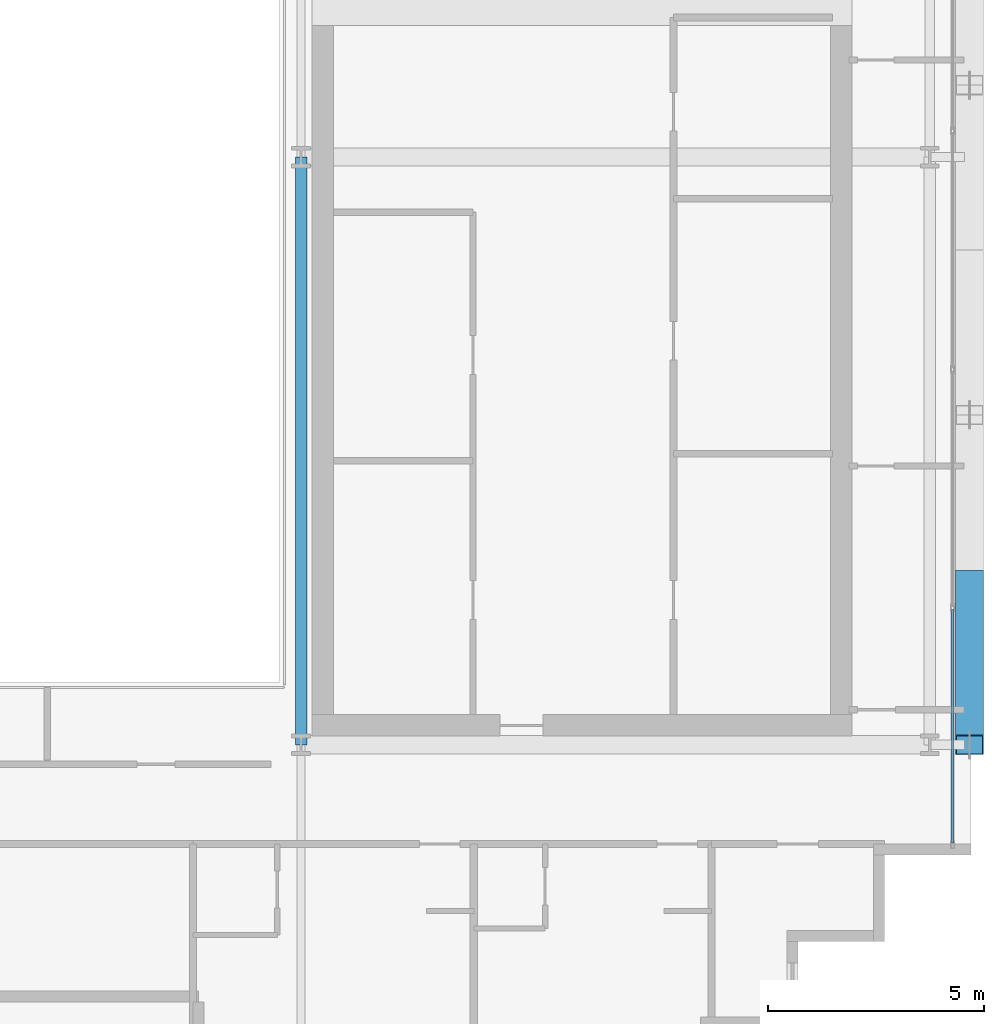
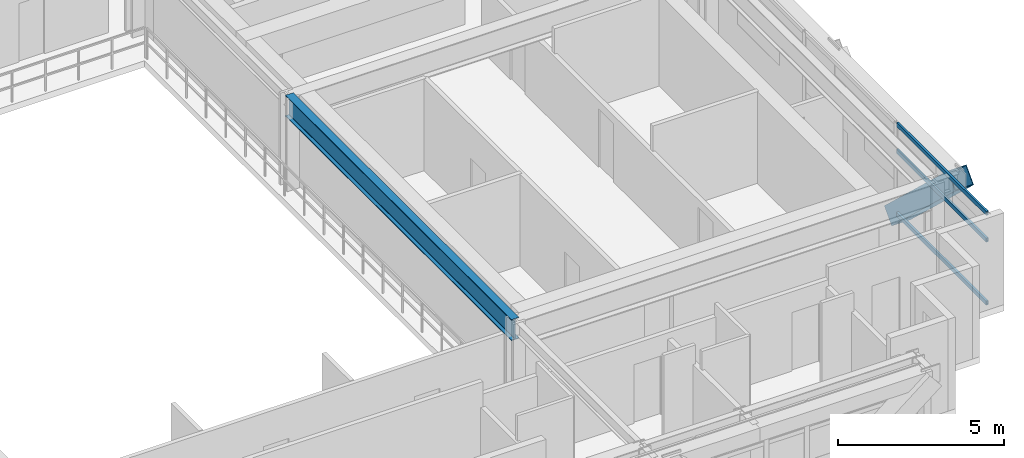
# One storey, part 11 of 32: 4 members, 1 beam, 1 element without a shape of its own.
"""IFC4 building model written with IfcOpenShell, lengths in metres."""

import ifcopenshell
import ifcopenshell.guid

model = None  # the IFC model being written
_history = None  # IfcOwnerHistory: only IFC2X3 demands one
_inside = {}  # id of a spatial element -> (the spatial element, [elements in it])
_under = {}  # id of a project, library or spatial element -> (it, [spatial elements below it])
_declared = {}  # id of a project -> (the project, [libraries it declares])
_typed = {}  # id of a type object -> (the type object, [elements of that type])
_made_of = {}  # id of a material, layer set ... -> (it, [elements and type objects made of it])


def new_model(schema):
    """Start an empty IFC model of exactly this schema.

    Asked for "IFC4X3", IfcOpenShell would pick the latest addendum, in which some entities
    have other attributes; the version numbers below select the first issue.
    IFC2X3 requires an IfcOwnerHistory on every rooted entity: one is made here for all.
    """
    global model, _history
    if schema == "IFC4X3":
        model = ifcopenshell.file(schema_version=(4, 3, 0, 0))
    else:
        model = ifcopenshell.file(schema=schema)
    _inside.clear()
    _under.clear()
    _declared.clear()
    _typed.clear()
    _made_of.clear()
    _history = None
    if model.schema == "IFC2X3":
        org = make("IfcOrganization", Name="unknown")
        user = make(
            "IfcPersonAndOrganization",
            ThePerson=make("IfcPerson", FamilyName="unknown"),
            TheOrganization=org,
        )
        app = make(
            "IfcApplication",
            ApplicationDeveloper=org,
            Version="unknown",
            ApplicationFullName="unknown",
            ApplicationIdentifier="unknown",
        )
        _history = make(
            "IfcOwnerHistory",
            OwningUser=user,
            OwningApplication=app,
            ChangeAction="ADDED",
            CreationDate=0,
        )
    return model


def make(cls, **values):
    """One entity of the class cls with the attributes given. An attribute that is None is left unset."""
    return model.create_entity(
        cls, **{name: value for name, value in values.items() if value is not None}
    )


def rooted(cls, **values):
    """An entity with a GlobalId (a new one), such as an element, a storey or a relation."""
    return make(cls, GlobalId=ifcopenshell.guid.new(), OwnerHistory=_history, **values)


def si_unit(unit_type, name, prefix=None):
    """IfcSIUnit, for example si_unit("LENGTHUNIT", "METRE", prefix="MILLI")."""
    return make("IfcSIUnit", UnitType=unit_type, Prefix=prefix, Name=name)


def assignment(units):
    """IfcUnitAssignment: the units of a project."""
    return None if units is None else make("IfcUnitAssignment", Units=units)


def point(xyz):
    """IfcCartesianPoint."""
    return None if xyz is None else make("IfcCartesianPoint", Coordinates=xyz)


def direction(xyz):
    """IfcDirection."""
    return None if xyz is None else make("IfcDirection", DirectionRatios=xyz)


def frame(location, z_axis=None, x_axis=None):
    """IfcAxis2Placement3D, a coordinate frame: its origin and axes. An axis left out is left unset."""
    return make(
        "IfcAxis2Placement3D",
        Location=point(location),
        Axis=direction(z_axis),
        RefDirection=direction(x_axis),
    )


def frame_2d(location, x_axis=None):
    """IfcAxis2Placement2D, a coordinate frame in the plane: its origin and x axis."""
    return make(
        "IfcAxis2Placement2D", Location=point(location), RefDirection=direction(x_axis)
    )


def origin():
    """The frame at (0, 0, 0) with its axes left unset."""
    return frame((0.0, 0.0, 0.0))


def origin_2d():
    """The frame at (0, 0) in the plane with its x axis left unset."""
    return frame_2d((0.0, 0.0))


def place(relative_to, where):
    """IfcLocalPlacement: puts the frame where relative to a parent placement (None: the world)."""
    return make(
        "IfcLocalPlacement", PlacementRelTo=relative_to, RelativePlacement=where
    )


def context(
    kind, dimensions, precision=None, world=None, true_north=None, identifier=None
):
    """IfcGeometricRepresentationContext, for example the 3D "Model" context."""
    return make(
        "IfcGeometricRepresentationContext",
        ContextIdentifier=identifier,
        ContextType=kind,
        CoordinateSpaceDimension=dimensions,
        Precision=precision,
        WorldCoordinateSystem=world,
        TrueNorth=true_north,
    )


def subcontext(parent, identifier, kind, view, scale=None):
    """IfcGeometricRepresentationSubContext, for example "Body" below "Model"."""
    return make(
        "IfcGeometricRepresentationSubContext",
        ContextIdentifier=identifier,
        ContextType=kind,
        ParentContext=parent,
        TargetScale=scale,
        TargetView=view,
    )


def project(units=None, contexts=None):
    """IfcProject with its units and contexts."""
    return rooted(
        "IfcProject",
        Name="project",
        RepresentationContexts=contexts,
        UnitsInContext=assignment(units),
    )


def spatial(cls, under=None, at=None, **own):
    """A site, building, storey or space (cls), placed at a placement, below another one or the project."""
    s = rooted(cls, ObjectPlacement=at, **own)
    if under is not None:
        _under.setdefault(under.id(), (under, []))[1].append(s)
    return s


def profile(cls, at=None, kind="AREA", **sizes):
    """A parametric profile (cls). Its sizes go by their IFC names, for example OverallWidth=200.0."""
    return make(cls, ProfileType=kind, Position=at, **sizes)


def hollow_rectangle(**sizes):
    """IfcRectangleHollowProfileDef."""
    return profile("IfcRectangleHollowProfileDef", **sizes)


def i_section(**sizes):
    """IfcIShapeProfileDef."""
    return profile("IfcIShapeProfileDef", **sizes)


def extrude(swept, where, along, depth):
    """IfcExtrudedAreaSolid: the profile swept, set in the frame where, extruded along a direction by depth."""
    return make(
        "IfcExtrudedAreaSolid",
        SweptArea=swept,
        Position=where,
        ExtrudedDirection=direction(along),
        Depth=depth,
    )


def shape(context_of_items, identifier, shape_type, items):
    """IfcShapeRepresentation: the items that make up one representation, for example the "Body"."""
    return make(
        "IfcShapeRepresentation",
        ContextOfItems=context_of_items,
        RepresentationIdentifier=identifier,
        RepresentationType=shape_type,
        Items=items,
    )


def source(mapping_origin, context_of_items, identifier, shape_type, items):
    """IfcRepresentationMap: a shape defined once, which mapped items show again and again."""
    return make(
        "IfcRepresentationMap",
        MappingOrigin=mapping_origin,
        MappedRepresentation=shape(context_of_items, identifier, shape_type, items),
    )


def transform(
    local_origin,
    x_axis=None,
    y_axis=None,
    z_axis=None,
    scale=None,
    scale2=None,
    scale3=None,
    uniform=True,
):
    """IfcCartesianTransformationOperator3D, or its non-uniform kind. x_axis, y_axis, z_axis: its Axis1, 2, 3."""
    if uniform:
        return make(
            "IfcCartesianTransformationOperator3D",
            Axis1=direction(x_axis),
            Axis2=direction(y_axis),
            LocalOrigin=point(local_origin),
            Scale=scale,
            Axis3=direction(z_axis),
        )
    return make(
        "IfcCartesianTransformationOperator3DnonUniform",
        Axis1=direction(x_axis),
        Axis2=direction(y_axis),
        LocalOrigin=point(local_origin),
        Scale=scale,
        Axis3=direction(z_axis),
        Scale2=scale2,
        Scale3=scale3,
    )


def mapped(mapping_source, mapping_target):
    """IfcMappedItem: shows the shape of a source again, moved by a transform."""
    return make(
        "IfcMappedItem", MappingSource=mapping_source, MappingTarget=mapping_target
    )


def material(Name=None, Category=None):
    """IfcMaterial."""
    return make("IfcMaterial", Name=Name, Category=Category)


def layer(
    of_material, thickness, ventilated=None, Name=None, Category=None, Priority=None
):
    """IfcMaterialLayer: one layer of a wall or slab, of a material (None: an air gap)."""
    return make(
        "IfcMaterialLayer",
        Material=of_material,
        LayerThickness=thickness,
        IsVentilated=ventilated,
        Name=Name,
        Category=Category,
        Priority=Priority,
    )


def layer_set(layers, Name=None):
    """IfcMaterialLayerSet."""
    return make("IfcMaterialLayerSet", MaterialLayers=layers, LayerSetName=Name)


def material_profile(
    of_material, cross_section, Name=None, Category=None, Priority=None
):
    """IfcMaterialProfile: a cross section and its material."""
    return make(
        "IfcMaterialProfile",
        Name=Name,
        Material=of_material,
        Profile=cross_section,
        Priority=Priority,
        Category=Category,
    )


def profile_set(profiles, Name=None, composite=None):
    """IfcMaterialProfileSet."""
    return make(
        "IfcMaterialProfileSet",
        Name=Name,
        MaterialProfiles=profiles,
        CompositeProfile=composite,
    )


def made_of(thing, what):
    """Note that an element or type object is made of a material, layer set ...; save() writes the relation."""
    if what is not None:
        _made_of.setdefault(what.id(), (what, []))[1].append(thing)
    return thing


def type_object(cls, material=None, **own):
    """A type object (cls), such as IfcWallType, which elements share."""
    return made_of(rooted(cls, **own), material)


def element(
    cls,
    number,
    at=None,
    inside=None,
    cuts=None,
    type_object=None,
    material=None,
    context=None,
    identifier="Body",
    shape_type=None,
    held_by="IfcProductDefinitionShape",
    body=None,
    shapes=None,
    **own,
):
    """One element of the class cls, such as IfcWall. Its Tag is "e" and its number.

    at: its placement. inside: the storey or other place that contains it. cuts: it is an
    opening in that element (IfcRelVoidsElement). A single representation is given by context,
    identifier, shape_type and body (its items); several are given by shapes. held_by: the class
    of the entity that holds the representations. save() writes the other relations.
    """
    e = rooted(cls, Tag="e%d" % number, ObjectPlacement=at, **own)
    if body is not None:
        shapes = [shape(context, identifier, shape_type, body)]
    if shapes is not None:
        e.Representation = make(held_by, Representations=shapes)
    if inside is not None:
        _inside.setdefault(inside.id(), (inside, []))[1].append(e)
    if cuts is not None:
        rooted(
            "IfcRelVoidsElement", RelatingBuildingElement=cuts, RelatedOpeningElement=e
        )
    if type_object is not None:
        _typed.setdefault(type_object.id(), (type_object, []))[1].append(e)
    return made_of(e, material)


def aggregate(whole, parts):
    """IfcRelAggregates: a whole, such as a stair, and the parts it consists of."""
    return rooted("IfcRelAggregates", RelatingObject=whole, RelatedObjects=parts)


def save(model, path):
    """Write the relations noted so far, then the file.

    IfcRelAggregates (storeys below a building ...), IfcRelContainedInSpatialStructure (elements
    in a storey), IfcRelDefinesByType, IfcRelAssociatesMaterial and IfcRelDeclares: one each for
    every whole, place, type object, material and project.
    """
    for whole, parts in _under.values():
        aggregate(whole, parts)
    for where, things in _inside.values():
        rooted(
            "IfcRelContainedInSpatialStructure",
            RelatedElements=things,
            RelatingStructure=where,
        )
    for kind, things in _typed.values():
        rooted("IfcRelDefinesByType", RelatedObjects=things, RelatingType=kind)
    for what, things in _made_of.values():
        rooted("IfcRelAssociatesMaterial", RelatedObjects=things, RelatingMaterial=what)
    for by, libraries in _declared.values():
        rooted("IfcRelDeclares", RelatingContext=by, RelatedDefinitions=libraries)
    model.write(path)


model = new_model("IFC4")

# Units and contexts
model_context = context("Model", 3, precision=1e-05, world=origin(), true_north=direction((0.0, 1.0)))
body_context = subcontext(model_context, "Body", "Model", "MODEL_VIEW")
ifc_project = project(units=[si_unit("LENGTHUNIT", "METRE"), si_unit("AREAUNIT", "SQUARE_METRE"), si_unit("VOLUMEUNIT", "CUBIC_METRE"), si_unit("PLANEANGLEUNIT", "RADIAN"), si_unit("MASSUNIT", "GRAM", prefix="KILO")], contexts=[model_context])

# Site, building, storey
site_placement = place(None, origin())
site = spatial("IfcSite", under=ifc_project, at=site_placement, CompositionType="ELEMENT")
building_placement = place(site_placement, origin())
building = spatial("IfcBuilding", under=site, at=building_placement, Name="Ocotamira Hotel", CompositionType="ELEMENT")
storey_placement = place(building_placement, frame((0.0, 0.0, 213.60009765625)))
storey = spatial("IfcBuildingStorey", under=building, at=storey_placement, Name="L54", CompositionType="ELEMENT", Elevation=213.60009765625)

# Beam
ifc_material_1 = material(Name="Steel ASTM A992 Grade 50", Category="steel")
ifc_material_profile_1 = material_profile(ifc_material_1, i_section(OverallWidth=0.26611328125, OverallDepth=0.779052734375, WebThickness=0.0166015625, FlangeThickness=0.030029296875, FilletRadius=0.01806640625, at=origin_2d()), Name="W30X148")
ifc_profile_set_1 = profile_set([ifc_material_profile_1], Name="Steel ASTM A992 Grade 50")
beam_type = type_object("IfcBeamType", Name="BM-GIRD-W30X148", PredefinedType="BEAM", material=ifc_profile_set_1)
shared_shape_1 = source(origin(), body_context, "Body", "SweptSolid", [
    extrude(i_section(OverallWidth=0.26611328125, OverallDepth=0.779052734375, WebThickness=0.0166015625, FlangeThickness=0.030029296875, FilletRadius=0.01806640625, at=origin_2d()), origin(), (0.0, 0.0, 1.0), 13.599853515625),
])
beam_placement = place(storey_placement, frame((40.5, 14.550048828125, 2.98046875), z_axis=(0.0, 1.0, 0.0), x_axis=(-1.0, 0.0, 0.0)))
element("IfcBeam", 1, at=beam_placement, inside=storey, type_object=beam_type, Name="L54 Beam X40.5 Y14.55-28.15", PredefinedType="BEAM", context=body_context, shape_type="MappedRepresentation", body=[
    mapped(shared_shape_1, transform((0.0, 0.0, 0.0), scale=1.0)),
])

# Member
ifc_material_2 = material(Name="Pale-metal coated steel ASTM A913 Grade 65", Category="steel")
ifc_material_profile_2 = material_profile(ifc_material_2, hollow_rectangle(XDim=0.64990234375, YDim=0.64990234375, WallThickness=0.02197265625, at=origin_2d()), Name="BOX650X650X22")
ifc_profile_set_2 = profile_set([ifc_material_profile_2], Name="Pale-metal coated steel ASTM A913 Grade 65")
member_type_1 = type_object("IfcMemberType", Name="MEM-EXO-BOX650", PredefinedType="BRACE", material=ifc_profile_set_2)
shared_shape_2 = source(origin(), body_context, "Body", "SweptSolid", [
    extrude(hollow_rectangle(XDim=0.64990234375, YDim=0.64990234375, WallThickness=0.02197265625, at=origin_2d()), origin(), (0.0, 0.0, 1.0), 5.24658203125),
])
member_1_placement = place(storey_placement, frame((55.969970703125, 18.36669921875, -0.47998046875), z_axis=(0.0, -0.72746596067, 0.686143772154), x_axis=(1.0, 0.0, 0.0)))
element("IfcMember", 2, at=member_1_placement, inside=storey, type_object=member_type_1, Name="L54 Exoskeleton Diagrid E0.1", PredefinedType="BRACE", context=body_context, shape_type="MappedRepresentation", body=[
    mapped(shared_shape_2, transform((0.0, 0.0, 0.0), scale=1.0)),
])

# Curtain wall, members
ifc_material_3 = material(Name="Anodised pale-metal aluminium and solar glass", Category="aluminium")
ifc_layer = layer(ifc_material_3, 0.199951171875)
ifc_layer_set = layer_set([ifc_layer], Name="Anodised pale-metal aluminium and solar glass")
curtain_wall_type = type_object("IfcCurtainWallType", Name="CW-SYS4-Z3", PredefinedType="NOTDEFINED", material=ifc_layer_set)
curtain_wall_placement = place(storey_placement, origin())
curtain_wall = element("IfcCurtainWall", 3, at=curtain_wall_placement, inside=storey, type_object=curtain_wall_type, Name="L54 Curtain Wall CW-4 CW-L54-E", PredefinedType="NOTDEFINED")
ifc_material_4 = material(Name="Anodised pale-metal aluminium 6063-T6", Category="aluminium")
ifc_material_profile_3 = material_profile(ifc_material_4, hollow_rectangle(XDim=0.074951171875, YDim=0.14990234375, WallThickness=0.006103515625, at=origin_2d()), Name="HSS150X75X6")
ifc_profile_set_3 = profile_set([ifc_material_profile_3], Name="Anodised pale-metal aluminium 6063-T6")
member_type_2 = type_object("IfcMemberType", Name="CWT-150X75", PredefinedType="USERDEFINED", material=ifc_profile_set_3)
shared_shape_3 = source(origin(), body_context, "Body", "SweptSolid", [
    extrude(hollow_rectangle(XDim=0.074951171875, YDim=0.14990234375, WallThickness=0.006103515625, at=origin_2d()), origin(), (0.0, 0.0, 1.0), 5.39990234375),
])
member_2_placement = place(storey_placement, frame((55.580078125, 12.280029296875, 0.037353515625), z_axis=(0.0, 1.0, 0.0), x_axis=(-1.0, 0.0, 0.0)))
member_2 = element("IfcMember", 4, at=member_2_placement, type_object=member_type_2, Name="CW-4 transom 1.1", ObjectType="TRANSOM", PredefinedType="USERDEFINED", context=body_context, shape_type="MappedRepresentation", body=[
    mapped(shared_shape_3, transform((0.0, 0.0, 0.0), scale=1.0)),
])
member_3_placement = place(storey_placement, frame((55.580078125, 12.280029296875, 2.349853515625), z_axis=(0.0, 1.0, 0.0), x_axis=(-1.0, 0.0, 0.0)))
member_3 = element("IfcMember", 5, at=member_3_placement, type_object=member_type_2, Name="CW-4 transom 1.2", ObjectType="TRANSOM", PredefinedType="USERDEFINED", context=body_context, shape_type="MappedRepresentation", body=[
    mapped(shared_shape_3, transform((0.0, 0.0, 0.0), scale=1.0)),
])
member_4_placement = place(storey_placement, frame((55.580078125, 12.280029296875, 3.33251953125), z_axis=(0.0, 1.0, 0.0), x_axis=(-1.0, 0.0, 0.0)))
member_4 = element("IfcMember", 6, at=member_4_placement, type_object=member_type_2, Name="CW-4 transom 1.3", ObjectType="TRANSOM", PredefinedType="USERDEFINED", context=body_context, shape_type="MappedRepresentation", body=[
    mapped(shared_shape_3, transform((0.0, 0.0, 0.0), scale=1.0)),
])
aggregate(curtain_wall, [member_2, member_3, member_4])

save(model, "model.ifc")
